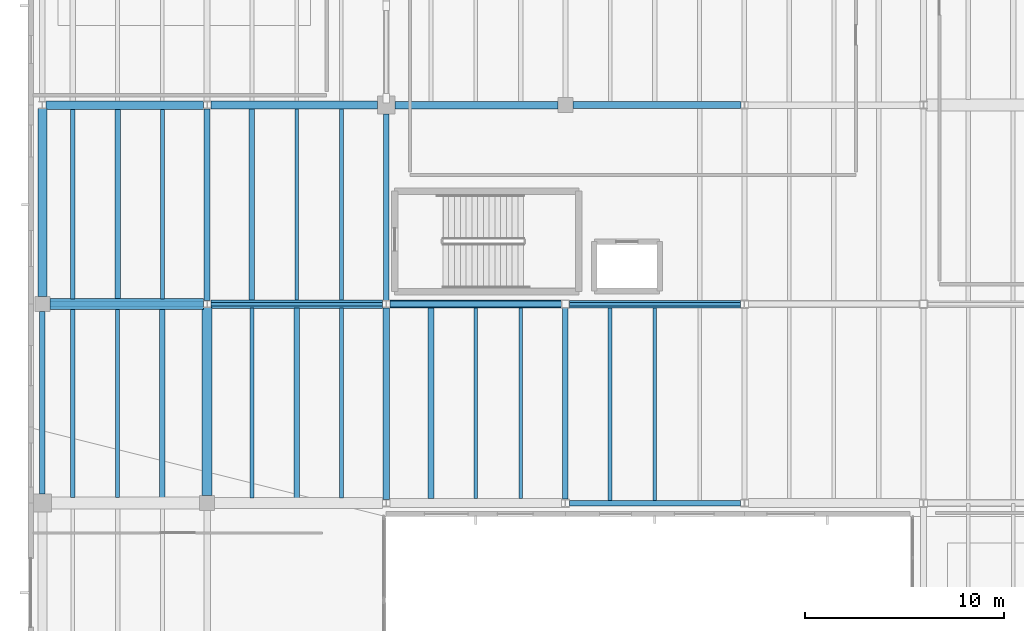
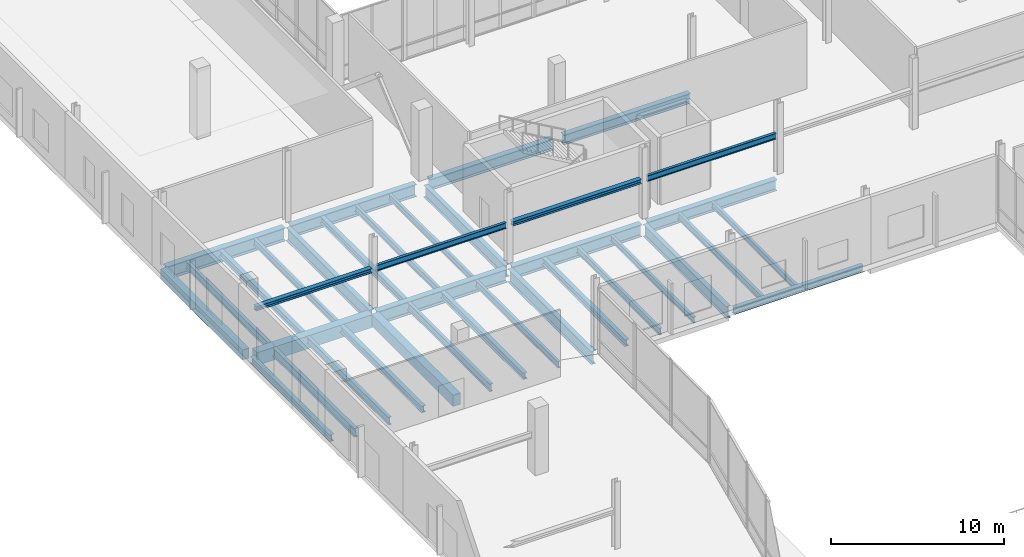
# One storey, part 23 of 88: 37 beams.
"""IFC4 building model written with IfcOpenShell, lengths in metres."""

from ifc_helpers import new_model, si_unit, direction, frame, origin, origin_2d, place, context, subcontext, project, spatial, rectangle, i_section, extrude, material, material_profile, profile_set, type_object, element, save


model = new_model("IFC4")

# Units and contexts
model_context = context("Model", 3, precision=1e-05, world=origin(), true_north=direction((0.0, 1.0)))
body_context = subcontext(model_context, "Body", "Model", "MODEL_VIEW")
ifc_project = project(units=[si_unit("LENGTHUNIT", "METRE"), si_unit("AREAUNIT", "SQUARE_METRE"), si_unit("VOLUMEUNIT", "CUBIC_METRE"), si_unit("PLANEANGLEUNIT", "RADIAN"), si_unit("MASSUNIT", "GRAM", prefix="KILO")], contexts=[model_context])

# Site, building, storey
site_placement = place(None, origin())
site = spatial("IfcSite", under=ifc_project, at=site_placement, CompositionType="ELEMENT")
building_placement = place(site_placement, origin())
building = spatial("IfcBuilding", under=site, at=building_placement, Name="Trimount Lyric Opera House", CompositionType="ELEMENT")
storey_placement = place(building_placement, origin())
storey = spatial("IfcBuildingStorey", under=building, at=storey_placement, Name="L00", CompositionType="ELEMENT", Elevation=0.0)

# Beams
ifc_material_1 = material(Name="Steel ASTM A992 Grade 50", Category="steel")
ifc_material_profile_1 = material_profile(ifc_material_1, i_section(OverallWidth=0.4189453125, OverallDepth=0.927001953125, WebThickness=0.019287109375, FlangeThickness=0.031982421875, FilletRadius=0.02392578125, at=origin_2d()), Name="W36X231")
ifc_profile_set_1 = profile_set([ifc_material_profile_1], Name="Steel ASTM A992 Grade 50")
beam_type_1 = type_object("IfcBeamType", Name="B-02", PredefinedType="BEAM", material=ifc_profile_set_1)
beam_1_placement = place(storey_placement, frame((9.18408203125, 54.0, -0.8134765625), z_axis=(1.0, 0.0, 0.0), x_axis=(0.0, 1.0, 0.0)))
element("IfcBeam", 1, at=beam_1_placement, inside=storey, type_object=beam_type_1, Name="L00 girder X-0104", PredefinedType="BEAM", context=body_context, shape_type="SweptSolid", body=[
    extrude(i_section(OverallWidth=0.4189453125, OverallDepth=0.927001953125, WebThickness=0.019287109375, FlangeThickness=0.031982421875, FilletRadius=0.02392578125, at=origin_2d()), origin(), (0.0, 0.0, 1.0), 8.62939453125),
])
beam_2_placement = place(storey_placement, frame((0.904052734375, 64.0, -0.8134765625), z_axis=(1.0, 0.0, 0.0), x_axis=(0.0, 1.0, 0.0)))
element("IfcBeam", 2, at=beam_2_placement, inside=storey, type_object=beam_type_1, Name="L00 girder X-0122", PredefinedType="BEAM", context=body_context, shape_type="SweptSolid", body=[
    extrude(i_section(OverallWidth=0.4189453125, OverallDepth=0.927001953125, WebThickness=0.019287109375, FlangeThickness=0.031982421875, FilletRadius=0.02392578125, at=origin_2d()), origin(), (0.0, 0.0, 1.0), 7.909423828125),
])
ifc_material_2 = material(Name="Steel ASTM A992 Grade 50", Category="steel")
ifc_material_profile_2 = material_profile(ifc_material_2, i_section(OverallWidth=0.304931640625, OverallDepth=0.9189453125, WebThickness=0.017333984375, FlangeThickness=0.02783203125, FilletRadius=0.02001953125, at=origin_2d()), Name="W36X170")
ifc_profile_set_2 = profile_set([ifc_material_profile_2], Name="Steel ASTM A992 Grade 50")
beam_type_2 = type_object("IfcBeamType", Name="B-03", PredefinedType="BEAM", material=ifc_profile_set_2)
for number, where, z_axis, x_axis, name in (
    (3, (9.0, 54.177978515625, -0.8095703125), (0.0, 1.0, 0.0), (-1.0, 0.0, 0.0), "L00 girder Y-0256"),
    (4, (18.0, 44.177978515625, -0.8095703125), (0.0, 1.0, 0.0), (-1.0, 0.0, 0.0), "L00 girder Y-0264"),
):
    element("IfcBeam", number, at=place(storey_placement, frame(where, z_axis=z_axis, x_axis=x_axis)), inside=storey, type_object=beam_type_2, Name=name, PredefinedType="BEAM", context=body_context, shape_type="SweptSolid", body=[
        extrude(i_section(OverallWidth=0.304931640625, OverallDepth=0.9189453125, WebThickness=0.017333984375, FlangeThickness=0.02783203125, FilletRadius=0.02001953125, at=origin_2d()), origin(), (0.0, 0.0, 1.0), 9.637939453125),
    ])
ifc_material_3 = material(Name="Steel ASTM A992 Grade 50", Category="steel")
ifc_material_profile_3 = material_profile(ifc_material_3, i_section(OverallWidth=0.40087890625, OverallDepth=0.861083984375, WebThickness=0.019775390625, FlangeThickness=0.032470703125, FilletRadius=0.02001953125, at=origin_2d()), Name="W33X221")
ifc_profile_set_3 = profile_set([ifc_material_profile_3], Name="Steel ASTM A992 Grade 50")
beam_type_3 = type_object("IfcBeamType", Name="B-04", PredefinedType="BEAM", material=ifc_profile_set_3)
beam_3_placement = place(storey_placement, frame((18.1865234375, 54.0, -0.780517578125), z_axis=(1.0, 0.0, 0.0), x_axis=(0.0, 1.0, 0.0)))
element("IfcBeam", 5, at=beam_3_placement, inside=storey, type_object=beam_type_3, Name="L00 girder X-0105", PredefinedType="BEAM", context=body_context, shape_type="SweptSolid", body=[
    extrude(i_section(OverallWidth=0.40087890625, OverallDepth=0.861083984375, WebThickness=0.019775390625, FlangeThickness=0.032470703125, FilletRadius=0.02001953125, at=origin_2d()), origin(), (0.0, 0.0, 1.0), 8.6103515625),
])
beam_4_placement = place(storey_placement, frame((9.1865234375, 64.0, -0.780517578125), z_axis=(1.0, 0.0, 0.0), x_axis=(0.0, 1.0, 0.0)))
element("IfcBeam", 6, at=beam_4_placement, inside=storey, type_object=beam_type_3, Name="L00 girder X-0123", PredefinedType="BEAM", context=body_context, shape_type="SweptSolid", body=[
    extrude(i_section(OverallWidth=0.40087890625, OverallDepth=0.861083984375, WebThickness=0.019775390625, FlangeThickness=0.032470703125, FilletRadius=0.02001953125, at=origin_2d()), origin(), (0.0, 0.0, 1.0), 8.363525390625),
])
ifc_material_4 = material(Name="Steel ASTM A992 Grade 50", Category="steel")
ifc_material_profile_4 = material_profile(ifc_material_4, i_section(OverallWidth=0.2919921875, OverallDepth=0.845947265625, WebThickness=0.015380859375, FlangeThickness=0.0244140625, FilletRadius=0.01806640625, at=origin_2d()), Name="W33X141")
ifc_profile_set_4 = profile_set([ifc_material_profile_4], Name="Steel ASTM A992 Grade 50")
beam_type_4 = type_object("IfcBeamType", Name="B-05", PredefinedType="BEAM", material=ifc_profile_set_4)
beam_5_placement = place(storey_placement, frame((18.0, 54.18408203125, -0.77294921875), z_axis=(0.0, 1.0, 0.0), x_axis=(-1.0, 0.0, 0.0)))
element("IfcBeam", 7, at=beam_5_placement, inside=storey, type_object=beam_type_4, Name="L00 girder Y-0265", PredefinedType="BEAM", context=body_context, shape_type="SweptSolid", body=[
    extrude(i_section(OverallWidth=0.2919921875, OverallDepth=0.845947265625, WebThickness=0.015380859375, FlangeThickness=0.0244140625, FilletRadius=0.01806640625, at=origin_2d()), origin(), (0.0, 0.0, 1.0), 9.365966796875),
])
beam_6_placement = place(storey_placement, frame((27.0, 44.20849609375, -0.77294921875), z_axis=(0.0, 1.0, 0.0), x_axis=(-1.0, 0.0, 0.0)))
element("IfcBeam", 8, at=beam_6_placement, inside=storey, type_object=beam_type_4, Name="L00 girder Y-0273", PredefinedType="BEAM", context=body_context, shape_type="SweptSolid", body=[
    extrude(i_section(OverallWidth=0.2919921875, OverallDepth=0.845947265625, WebThickness=0.015380859375, FlangeThickness=0.0244140625, FilletRadius=0.01806640625, at=origin_2d()), origin(), (0.0, 0.0, 1.0), 9.58837890625),
])
ifc_material_5 = material(Name="Steel ASTM A992 Grade 50", Category="steel")
ifc_material_profile_5 = material_profile(ifc_material_5, i_section(OverallWidth=0.382080078125, OverallDepth=0.779052734375, WebThickness=0.01806640625, FlangeThickness=0.0302734375, FilletRadius=0.01904296875, at=origin_2d()), Name="W30X191")
ifc_profile_set_5 = profile_set([ifc_material_profile_5], Name="Steel ASTM A992 Grade 50")
beam_type_5 = type_object("IfcBeamType", Name="B-06", PredefinedType="BEAM", material=ifc_profile_set_5)
beam_7_placement = place(storey_placement, frame((27.203125, 54.0, -0.739501953125), z_axis=(1.0, 0.0, 0.0), x_axis=(0.0, 1.0, 0.0)))
element("IfcBeam", 9, at=beam_7_placement, inside=storey, type_object=beam_type_5, Name="L00 girder X-0106", PredefinedType="BEAM", context=body_context, shape_type="SweptSolid", body=[
    extrude(i_section(OverallWidth=0.382080078125, OverallDepth=0.779052734375, WebThickness=0.01806640625, FlangeThickness=0.0302734375, FilletRadius=0.01904296875, at=origin_2d()), origin(), (0.0, 0.0, 1.0), 8.593994140625),
])
beam_8_placement = place(storey_placement, frame((18.449951171875, 64.0, -0.739501953125), z_axis=(1.0, 0.0, 0.0), x_axis=(0.0, 1.0, 0.0)))
element("IfcBeam", 10, at=beam_8_placement, inside=storey, type_object=beam_type_5, Name="L00 girder X-0124", PredefinedType="BEAM", context=body_context, shape_type="SweptSolid", body=[
    extrude(i_section(OverallWidth=0.382080078125, OverallDepth=0.779052734375, WebThickness=0.01806640625, FlangeThickness=0.0302734375, FilletRadius=0.01904296875, at=origin_2d()), origin(), (0.0, 0.0, 1.0), 8.175048828125),
])
ifc_material_6 = material(Name="Steel ASTM A992 Grade 50", Category="steel")
ifc_material_profile_6 = material_profile(ifc_material_6, i_section(OverallWidth=0.35595703125, OverallDepth=0.700927734375, WebThickness=0.016845703125, FlangeThickness=0.02734375, FilletRadius=0.01806640625, at=origin_2d()), Name="W27X161")
ifc_profile_set_6 = profile_set([ifc_material_profile_6], Name="Steel ASTM A992 Grade 50")
beam_type_6 = type_object("IfcBeamType", Name="B-08", PredefinedType="BEAM", material=ifc_profile_set_6)
beam_9_placement = place(storey_placement, frame((27.375, 64.0, -0.700439453125), z_axis=(1.0, 0.0, 0.0), x_axis=(0.0, 1.0, 0.0)))
element("IfcBeam", 11, at=beam_9_placement, inside=storey, type_object=beam_type_6, Name="L00 girder X-0125", PredefinedType="BEAM", context=body_context, shape_type="SweptSolid", body=[
    extrude(i_section(OverallWidth=0.35595703125, OverallDepth=0.700927734375, WebThickness=0.016845703125, FlangeThickness=0.02734375, FilletRadius=0.01806640625, at=origin_2d()), origin(), (0.0, 0.0, 1.0), 8.44091796875),
])
ifc_material_7 = material(Name="Concrete C40/50", Category="concrete")
ifc_material_profile_7 = material_profile(ifc_material_7, rectangle(XDim=0.550048828125, YDim=0.89990234375, at=origin_2d()), Name="RC550X900")
ifc_profile_set_7 = profile_set([ifc_material_profile_7], Name="Concrete C40/50")
beam_type_7 = type_object("IfcBeamType", Name="B-14", PredefinedType="BEAM", material=ifc_profile_set_7)
beam_10_placement = place(storey_placement, frame((1.094970703125, 54.0, -0.800048828125), z_axis=(1.0, 0.0, 0.0), x_axis=(0.0, 1.0, 0.0)))
element("IfcBeam", 12, at=beam_10_placement, inside=storey, type_object=beam_type_7, Name="L00 girder X-0103", PredefinedType="BEAM", context=body_context, shape_type="SweptSolid", body=[
    extrude(rectangle(XDim=0.550048828125, YDim=0.89990234375, at=origin_2d()), origin(), (0.0, 0.0, 1.0), 7.720947265625),
])
ifc_material_8 = material(Name="Concrete C40/50", Category="concrete")
ifc_material_profile_8 = material_profile(ifc_material_8, rectangle(XDim=0.5, YDim=0.800048828125, at=origin_2d()), Name="RC500X800")
ifc_profile_set_8 = profile_set([ifc_material_profile_8], Name="Concrete C40/50")
beam_type_8 = type_object("IfcBeamType", Name="B-15", PredefinedType="BEAM", material=ifc_profile_set_8)
beam_11_placement = place(storey_placement, frame((9.0, 44.375, -0.75), z_axis=(0.0, 1.0, 0.0), x_axis=(-1.0, 0.0, 0.0)))
element("IfcBeam", 13, at=beam_11_placement, inside=storey, type_object=beam_type_8, Name="L00 girder Y-0255", PredefinedType="BEAM", context=body_context, shape_type="SweptSolid", body=[
    extrude(rectangle(XDim=0.5, YDim=0.800048828125, at=origin_2d()), origin(), (0.0, 0.0, 1.0), 9.447021484375),
])
ifc_material_9 = material(Name="Steel ASTM A992 Grade 50", Category="steel")
ifc_material_profile_9 = material_profile(ifc_material_9, i_section(OverallWidth=0.22802734375, OverallDepth=0.60205078125, WebThickness=0.010498046875, FlangeThickness=0.014892578125, FilletRadius=0.012939453125, at=origin_2d()), Name="W24X68")
ifc_profile_set_9 = profile_set([ifc_material_profile_9], Name="Steel ASTM A992 Grade 50")
beam_type_9 = type_object("IfcBeamType", Name="J-01", PredefinedType="BEAM", material=ifc_profile_set_9)
beam_12_placement = place(storey_placement, frame((2.25, 44.2958984375, -0.65087890625), z_axis=(0.0, 1.0, 0.0), x_axis=(-1.0, 0.0, 0.0)))
element("IfcBeam", 14, at=beam_12_placement, inside=storey, type_object=beam_type_9, Name="L00 composite floor joist 0016", PredefinedType="BEAM", context=body_context, shape_type="SweptSolid", body=[
    extrude(i_section(OverallWidth=0.22802734375, OverallDepth=0.60205078125, WebThickness=0.010498046875, FlangeThickness=0.014892578125, FilletRadius=0.012939453125, at=origin_2d()), origin(), (0.0, 0.0, 1.0), 9.43310546875),
])
ifc_material_10 = material(Name="Steel ASTM A992 Grade 50", Category="steel")
ifc_material_profile_10 = material_profile(ifc_material_10, i_section(OverallWidth=0.2099609375, OverallDepth=0.532958984375, WebThickness=0.01025390625, FlangeThickness=0.015625, FilletRadius=0.012939453125, at=origin_2d()), Name="W21X62")
ifc_profile_set_10 = profile_set([ifc_material_profile_10], Name="Steel ASTM A992 Grade 50")
beam_type_10 = type_object("IfcBeamType", Name="J-02", PredefinedType="BEAM", material=ifc_profile_set_10)
beam_13_placement = place(storey_placement, frame((4.5, 44.2958984375, -0.616455078125), z_axis=(0.0, 1.0, 0.0), x_axis=(-1.0, 0.0, 0.0)))
element("IfcBeam", 15, at=beam_13_placement, inside=storey, type_object=beam_type_10, Name="L00 composite floor joist 0017", PredefinedType="BEAM", context=body_context, shape_type="SweptSolid", body=[
    extrude(i_section(OverallWidth=0.2099609375, OverallDepth=0.532958984375, WebThickness=0.01025390625, FlangeThickness=0.015625, FilletRadius=0.012939453125, at=origin_2d()), origin(), (0.0, 0.0, 1.0), 9.43310546875),
])
for number, where, z_axis, x_axis, name in (
    (16, (2.25, 54.27099609375, -0.616455078125), (0.0, 1.0, 0.0), (-1.0, 0.0, 0.0), "L00 composite floor joist 0019"),
    (17, (11.25, 44.27099609375, -0.616455078125), (0.0, 1.0, 0.0), (-1.0, 0.0, 0.0), "L00 composite floor joist 0043"),
):
    element("IfcBeam", number, at=place(storey_placement, frame(where, z_axis=z_axis, x_axis=x_axis)), inside=storey, type_object=beam_type_10, Name=name, PredefinedType="BEAM", context=body_context, shape_type="SweptSolid", body=[
        extrude(i_section(OverallWidth=0.2099609375, OverallDepth=0.532958984375, WebThickness=0.01025390625, FlangeThickness=0.015625, FilletRadius=0.012939453125, at=origin_2d()), origin(), (0.0, 0.0, 1.0), 9.5234375),
    ])
ifc_material_11 = material(Name="Steel ASTM A992 Grade 50", Category="steel")
ifc_material_profile_11 = material_profile(ifc_material_11, i_section(OverallWidth=0.281982421875, OverallDepth=0.467041015625, WebThickness=0.01220703125, FlangeThickness=0.01953125, FilletRadius=0.012939453125, at=origin_2d()), Name="W18X86")
ifc_profile_set_11 = profile_set([ifc_material_profile_11], Name="Steel ASTM A992 Grade 50")
beam_type_11 = type_object("IfcBeamType", Name="J-03", PredefinedType="BEAM", material=ifc_profile_set_11)
beam_14_placement = place(storey_placement, frame((6.75, 44.2958984375, -0.58349609375), z_axis=(0.0, 1.0, 0.0), x_axis=(-1.0, 0.0, 0.0)))
element("IfcBeam", 18, at=beam_14_placement, inside=storey, type_object=beam_type_11, Name="L00 composite floor joist 0018", PredefinedType="BEAM", context=body_context, shape_type="SweptSolid", body=[
    extrude(i_section(OverallWidth=0.281982421875, OverallDepth=0.467041015625, WebThickness=0.01220703125, FlangeThickness=0.01953125, FilletRadius=0.012939453125, at=origin_2d()), origin(), (0.0, 0.0, 1.0), 9.43310546875),
])
for number, where, z_axis, x_axis, name in (
    (19, (4.5, 54.27099609375, -0.58349609375), (0.0, 1.0, 0.0), (-1.0, 0.0, 0.0), "L00 composite floor joist 0020"),
    (20, (13.5, 44.27099609375, -0.58349609375), (0.0, 1.0, 0.0), (-1.0, 0.0, 0.0), "L00 composite floor joist 0044"),
):
    element("IfcBeam", number, at=place(storey_placement, frame(where, z_axis=z_axis, x_axis=x_axis)), inside=storey, type_object=beam_type_11, Name=name, PredefinedType="BEAM", context=body_context, shape_type="SweptSolid", body=[
        extrude(i_section(OverallWidth=0.281982421875, OverallDepth=0.467041015625, WebThickness=0.01220703125, FlangeThickness=0.01953125, FilletRadius=0.012939453125, at=origin_2d()), origin(), (0.0, 0.0, 1.0), 9.5234375),
    ])
beam_15_placement = place(storey_placement, frame((11.25, 54.20556640625, -0.58349609375), z_axis=(0.0, 1.0, 0.0), x_axis=(-1.0, 0.0, 0.0)))
element("IfcBeam", 21, at=beam_15_placement, inside=storey, type_object=beam_type_11, Name="L00 composite floor joist 0046", PredefinedType="BEAM", context=body_context, shape_type="SweptSolid", body=[
    extrude(i_section(OverallWidth=0.281982421875, OverallDepth=0.467041015625, WebThickness=0.01220703125, FlangeThickness=0.01953125, FilletRadius=0.012939453125, at=origin_2d()), origin(), (0.0, 0.0, 1.0), 9.597900390625),
])
beam_16_placement = place(storey_placement, frame((20.25, 44.220947265625, -0.58349609375), z_axis=(0.0, 1.0, 0.0), x_axis=(-1.0, 0.0, 0.0)))
element("IfcBeam", 22, at=beam_16_placement, inside=storey, type_object=beam_type_11, Name="L00 composite floor joist 0070", PredefinedType="BEAM", context=body_context, shape_type="SweptSolid", body=[
    extrude(i_section(OverallWidth=0.281982421875, OverallDepth=0.467041015625, WebThickness=0.01220703125, FlangeThickness=0.01953125, FilletRadius=0.012939453125, at=origin_2d()), origin(), (0.0, 0.0, 1.0), 9.58251953125),
])
ifc_material_12 = material(Name="Steel ASTM A992 Grade 50", Category="steel")
ifc_material_profile_12 = material_profile(ifc_material_12, i_section(OverallWidth=0.19091796875, OverallDepth=0.45703125, WebThickness=0.009033203125, FlangeThickness=0.014404296875, FilletRadius=0.010986328125, at=origin_2d()), Name="W18X50")
ifc_profile_set_12 = profile_set([ifc_material_profile_12], Name="Steel ASTM A992 Grade 50")
beam_type_12 = type_object("IfcBeamType", Name="J-04", PredefinedType="BEAM", material=ifc_profile_set_12)
for number, where, z_axis, x_axis, name in (
    (23, (6.75, 54.27099609375, -0.57861328125), (0.0, 1.0, 0.0), (-1.0, 0.0, 0.0), "L00 composite floor joist 0021"),
    (24, (15.75, 44.27099609375, -0.57861328125), (0.0, 1.0, 0.0), (-1.0, 0.0, 0.0), "L00 composite floor joist 0045"),
):
    element("IfcBeam", number, at=place(storey_placement, frame(where, z_axis=z_axis, x_axis=x_axis)), inside=storey, type_object=beam_type_12, Name=name, PredefinedType="BEAM", context=body_context, shape_type="SweptSolid", body=[
        extrude(i_section(OverallWidth=0.19091796875, OverallDepth=0.45703125, WebThickness=0.009033203125, FlangeThickness=0.014404296875, FilletRadius=0.010986328125, at=origin_2d()), origin(), (0.0, 0.0, 1.0), 9.5234375),
    ])
beam_17_placement = place(storey_placement, frame((13.5, 54.20556640625, -0.57861328125), z_axis=(0.0, 1.0, 0.0), x_axis=(-1.0, 0.0, 0.0)))
element("IfcBeam", 25, at=beam_17_placement, inside=storey, type_object=beam_type_12, Name="L00 composite floor joist 0047", PredefinedType="BEAM", context=body_context, shape_type="SweptSolid", body=[
    extrude(i_section(OverallWidth=0.19091796875, OverallDepth=0.45703125, WebThickness=0.009033203125, FlangeThickness=0.014404296875, FilletRadius=0.010986328125, at=origin_2d()), origin(), (0.0, 0.0, 1.0), 9.597900390625),
])
beam_18_placement = place(storey_placement, frame((22.5, 44.220947265625, -0.57861328125), z_axis=(0.0, 1.0, 0.0), x_axis=(-1.0, 0.0, 0.0)))
element("IfcBeam", 26, at=beam_18_placement, inside=storey, type_object=beam_type_12, Name="L00 composite floor joist 0071", PredefinedType="BEAM", context=body_context, shape_type="SweptSolid", body=[
    extrude(i_section(OverallWidth=0.19091796875, OverallDepth=0.45703125, WebThickness=0.009033203125, FlangeThickness=0.014404296875, FilletRadius=0.010986328125, at=origin_2d()), origin(), (0.0, 0.0, 1.0), 9.58251953125),
])
beam_19_placement = place(storey_placement, frame((29.25, 44.136962890625, -0.57861328125), z_axis=(0.0, 1.0, 0.0), x_axis=(-1.0, 0.0, 0.0)))
element("IfcBeam", 27, at=beam_19_placement, inside=storey, type_object=beam_type_12, Name="L00 composite floor joist 0085", PredefinedType="BEAM", context=body_context, shape_type="SweptSolid", body=[
    extrude(i_section(OverallWidth=0.19091796875, OverallDepth=0.45703125, WebThickness=0.009033203125, FlangeThickness=0.014404296875, FilletRadius=0.010986328125, at=origin_2d()), origin(), (0.0, 0.0, 1.0), 9.676025390625),
])
ifc_material_13 = material(Name="Steel ASTM A992 Grade 50", Category="steel")
ifc_material_profile_13 = material_profile(ifc_material_13, i_section(OverallWidth=0.180908203125, OverallDepth=0.4169921875, WebThickness=0.010986328125, FlangeThickness=0.018310546875, FilletRadius=0.010986328125, at=origin_2d()), Name="W16X57")
ifc_profile_set_13 = profile_set([ifc_material_profile_13], Name="Steel ASTM A992 Grade 50")
beam_type_13 = type_object("IfcBeamType", Name="J-05", PredefinedType="BEAM", material=ifc_profile_set_13)
beam_20_placement = place(storey_placement, frame((15.75, 54.20556640625, -0.55859375), z_axis=(0.0, 1.0, 0.0), x_axis=(-1.0, 0.0, 0.0)))
element("IfcBeam", 28, at=beam_20_placement, inside=storey, type_object=beam_type_13, Name="L00 composite floor joist 0048", PredefinedType="BEAM", context=body_context, shape_type="SweptSolid", body=[
    extrude(i_section(OverallWidth=0.180908203125, OverallDepth=0.4169921875, WebThickness=0.010986328125, FlangeThickness=0.018310546875, FilletRadius=0.010986328125, at=origin_2d()), origin(), (0.0, 0.0, 1.0), 9.597900390625),
])
beam_21_placement = place(storey_placement, frame((24.75, 44.220947265625, -0.55859375), z_axis=(0.0, 1.0, 0.0), x_axis=(-1.0, 0.0, 0.0)))
element("IfcBeam", 29, at=beam_21_placement, inside=storey, type_object=beam_type_13, Name="L00 composite floor joist 0072", PredefinedType="BEAM", context=body_context, shape_type="SweptSolid", body=[
    extrude(i_section(OverallWidth=0.180908203125, OverallDepth=0.4169921875, WebThickness=0.010986328125, FlangeThickness=0.018310546875, FilletRadius=0.010986328125, at=origin_2d()), origin(), (0.0, 0.0, 1.0), 9.58251953125),
])
beam_22_placement = place(storey_placement, frame((31.5, 44.136962890625, -0.55859375), z_axis=(0.0, 1.0, 0.0), x_axis=(-1.0, 0.0, 0.0)))
element("IfcBeam", 30, at=beam_22_placement, inside=storey, type_object=beam_type_13, Name="L00 composite floor joist 0086", PredefinedType="BEAM", context=body_context, shape_type="SweptSolid", body=[
    extrude(i_section(OverallWidth=0.180908203125, OverallDepth=0.4169921875, WebThickness=0.010986328125, FlangeThickness=0.018310546875, FilletRadius=0.010986328125, at=origin_2d()), origin(), (0.0, 0.0, 1.0), 9.676025390625),
])
ifc_material_14 = material(Name="Steel ASTM A992 Grade 50", Category="steel")
ifc_material_profile_14 = material_profile(ifc_material_14, i_section(OverallWidth=0.304931640625, OverallDepth=0.306884765625, WebThickness=0.010009765625, FlangeThickness=0.015380859375, FilletRadius=0.012939453125, at=origin_2d()), Name="W12X65")
ifc_profile_set_14 = profile_set([ifc_material_profile_14], Name="Steel ASTM A992 Grade 50")
beam_type_14 = type_object("IfcBeamType", Name="LN-01", PredefinedType="LINTEL", material=ifc_profile_set_14)
beam_23_placement = place(storey_placement, frame((1.094970703125, 54.0, 2.64990234375), z_axis=(1.0, 0.0, 0.0), x_axis=(0.0, 1.0, 0.0)))
element("IfcBeam", 31, at=beam_23_placement, inside=storey, type_object=beam_type_14, Name="L00 interior portal lintel 11", PredefinedType="LINTEL", context=body_context, shape_type="SweptSolid", body=[
    extrude(i_section(OverallWidth=0.304931640625, OverallDepth=0.306884765625, WebThickness=0.010009765625, FlangeThickness=0.015380859375, FilletRadius=0.012939453125, at=origin_2d()), origin(), (0.0, 0.0, 1.0), 7.720947265625),
])
beam_24_placement = place(storey_placement, frame((18.1865234375, 54.0, 2.64990234375), z_axis=(1.0, 0.0, 0.0), x_axis=(0.0, 1.0, 0.0)))
element("IfcBeam", 32, at=beam_24_placement, inside=storey, type_object=beam_type_14, Name="L00 interior portal lintel 13", PredefinedType="LINTEL", context=body_context, shape_type="SweptSolid", body=[
    extrude(i_section(OverallWidth=0.304931640625, OverallDepth=0.306884765625, WebThickness=0.010009765625, FlangeThickness=0.015380859375, FilletRadius=0.012939453125, at=origin_2d()), origin(), (0.0, 0.0, 1.0), 8.6103515625),
])
ifc_material_15 = material(Name="Steel ASTM A992 Grade 50", Category="steel")
ifc_material_profile_15 = material_profile(ifc_material_15, i_section(OverallWidth=0.180908203125, OverallDepth=0.4169921875, WebThickness=0.010986328125, FlangeThickness=0.018310546875, FilletRadius=0.010986328125, at=origin_2d()), Name="W16X57")
ifc_profile_set_15 = profile_set([ifc_material_profile_15], Name="Steel ASTM A992 Grade 50")
beam_type_15 = type_object("IfcBeamType", Name="LN-02", PredefinedType="LINTEL", material=ifc_profile_set_15)
beam_25_placement = place(storey_placement, frame((9.18408203125, 54.0, 2.64990234375), z_axis=(1.0, 0.0, 0.0), x_axis=(0.0, 1.0, 0.0)))
element("IfcBeam", 33, at=beam_25_placement, inside=storey, type_object=beam_type_15, Name="L00 interior portal lintel 12", PredefinedType="LINTEL", context=body_context, shape_type="SweptSolid", body=[
    extrude(i_section(OverallWidth=0.180908203125, OverallDepth=0.4169921875, WebThickness=0.010986328125, FlangeThickness=0.018310546875, FilletRadius=0.010986328125, at=origin_2d()), origin(), (0.0, 0.0, 1.0), 8.62939453125),
])
beam_26_placement = place(storey_placement, frame((27.203125, 54.0, 2.64990234375), z_axis=(1.0, 0.0, 0.0), x_axis=(0.0, 1.0, 0.0)))
element("IfcBeam", 34, at=beam_26_placement, inside=storey, type_object=beam_type_15, Name="L00 interior portal lintel 14", PredefinedType="LINTEL", context=body_context, shape_type="SweptSolid", body=[
    extrude(i_section(OverallWidth=0.180908203125, OverallDepth=0.4169921875, WebThickness=0.010986328125, FlangeThickness=0.018310546875, FilletRadius=0.010986328125, at=origin_2d()), origin(), (0.0, 0.0, 1.0), 8.593994140625),
])
ifc_material_16 = material(Name="Steel ASTM A992 Grade 50", Category="steel")
ifc_material_profile_16 = material_profile(ifc_material_16, i_section(OverallWidth=0.281982421875, OverallDepth=0.467041015625, WebThickness=0.01220703125, FlangeThickness=0.01953125, FilletRadius=0.012939453125, at=origin_2d()), Name="W18X86")
ifc_profile_set_16 = profile_set([ifc_material_profile_16], Name="Steel ASTM A992 Grade 50")
beam_type_16 = type_object("IfcBeamType", Name="SP-01", PredefinedType="SPANDREL", material=ifc_profile_set_16)
beam_27_placement = place(storey_placement, frame((27.202880859375, 44.0, -0.58349609375), z_axis=(1.0, 0.0, 0.0), x_axis=(0.0, 1.0, 0.0)))
element("IfcBeam", 35, at=beam_27_placement, inside=storey, type_object=beam_type_16, Name="L00 girder X-0087", PredefinedType="SPANDREL", context=body_context, shape_type="SweptSolid", body=[
    extrude(i_section(OverallWidth=0.281982421875, OverallDepth=0.467041015625, WebThickness=0.01220703125, FlangeThickness=0.01953125, FilletRadius=0.012939453125, at=origin_2d()), origin(), (0.0, 0.0, 1.0), 8.593994140625),
])
beam_28_placement = place(storey_placement, frame((0.719970703125, 44.449951171875, -0.58349609375), z_axis=(0.0, 1.0, 0.0), x_axis=(-1.0, 0.0, 0.0)))
element("IfcBeam", 36, at=beam_28_placement, inside=storey, type_object=beam_type_16, Name="L00 girder Y-0242", PredefinedType="SPANDREL", context=body_context, shape_type="SweptSolid", body=[
    extrude(i_section(OverallWidth=0.281982421875, OverallDepth=0.467041015625, WebThickness=0.01220703125, FlangeThickness=0.01953125, FilletRadius=0.012939453125, at=origin_2d()), origin(), (0.0, 0.0, 1.0), 9.175048828125),
])
ifc_material_17 = material(Name="Concrete C40/50", Category="concrete")
ifc_material_profile_17 = material_profile(ifc_material_17, rectangle(XDim=0.449951171875, YDim=0.699951171875, at=origin_2d()), Name="RC450X700")
ifc_profile_set_17 = profile_set([ifc_material_profile_17], Name="Concrete C40/50")
beam_type_17 = type_object("IfcBeamType", Name="SP-02", PredefinedType="SPANDREL", material=ifc_profile_set_17)
beam_29_placement = place(storey_placement, frame((0.719970703125, 54.375, -0.699951171875), z_axis=(0.0, 1.0, 0.0), x_axis=(-1.0, 0.0, 0.0)))
element("IfcBeam", 37, at=beam_29_placement, inside=storey, type_object=beam_type_17, Name="L00 girder Y-0243", PredefinedType="SPANDREL", context=body_context, shape_type="SweptSolid", body=[
    extrude(rectangle(XDim=0.449951171875, YDim=0.699951171875, at=origin_2d()), origin(), (0.0, 0.0, 1.0), 9.447021484375),
])

save(model, "model.ifc")
